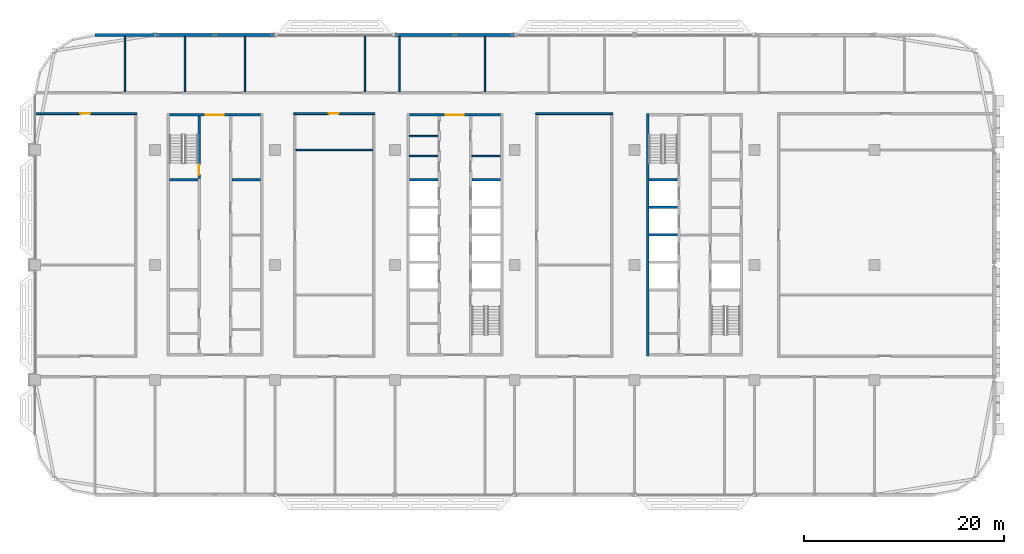
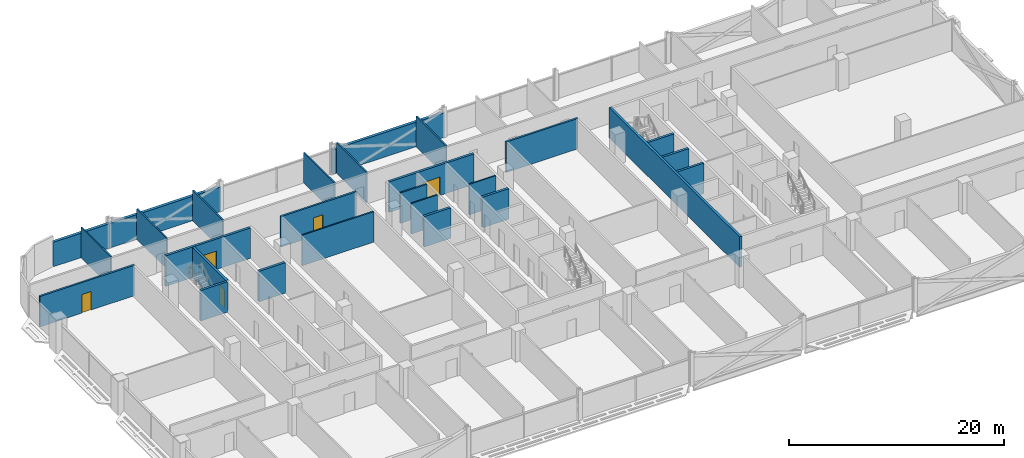
# One storey, part 15 of 30: 27 walls, 5 doors, 5 openings.
"""IFC4 building model written with IfcOpenShell, lengths in metres."""

from ifc_helpers import new_model, si_unit, direction, frame, frame_2d, origin, place, context, subcontext, project, spatial, rectangle, extrude, material, layer, layer_set, type_object, element, fill, save


model = new_model("IFC4")

# Units and contexts
model_context = context("Model", 3, precision=1e-05, world=origin(), true_north=direction((0.0, 1.0)))
body_context = subcontext(model_context, "Body", "Model", "MODEL_VIEW")
ifc_project = project(units=[si_unit("LENGTHUNIT", "METRE"), si_unit("AREAUNIT", "SQUARE_METRE"), si_unit("VOLUMEUNIT", "CUBIC_METRE"), si_unit("PLANEANGLEUNIT", "RADIAN"), si_unit("MASSUNIT", "GRAM", prefix="KILO")], contexts=[model_context])

# Site, building, storey
site_placement = place(None, origin())
site = spatial("IfcSite", under=ifc_project, at=site_placement, CompositionType="ELEMENT")
building_placement = place(site_placement, origin())
building = spatial("IfcBuilding", under=site, at=building_placement, Name="Mahtab Terrace Research Tower", CompositionType="ELEMENT")
storey_placement = place(building_placement, frame((0.0, 0.0, 201.5)))
storey = spatial("IfcBuildingStorey", under=building, at=storey_placement, Name="L48", CompositionType="ELEMENT", Elevation=201.5)

# Walls
ifc_material_1 = material(Name="Gypsum board partition")
ifc_layer_1 = layer(ifc_material_1, 0.14990234375)
ifc_layer_set_1 = layer_set([ifc_layer_1], Name="Core partition 150")
wall_type_1 = type_object("IfcWallType", Name="Core partition 150", PredefinedType="PARTITIONING", material=ifc_layer_set_1)
for number, where, z_axis, x_axis, name in (
    (1, (-4.550048828125, 10.875, 0.0), (0.0, 0.0, 1.0), (1.0, 0.0, 0.0), "Core wall B pWN788"),
    (2, (-4.550048828125, 12.875, 0.0), (0.0, 0.0, 1.0), (1.0, 0.0, 0.0), "Core wall B pWN988"),
    (3, (1.699951171875, 10.875, 0.0), (0.0, 0.0, 1.0), (1.0, 0.0, 0.0), "Core wall B pEN788"),
):
    element("IfcWall", number, at=place(storey_placement, frame(where, z_axis=z_axis, x_axis=x_axis)), inside=storey, type_object=wall_type_1, Name=name, PredefinedType="PARTITIONING", context=body_context, shape_type="SweptSolid", body=[
        extrude(rectangle(XDim=2.85009765625, YDim=0.14990234375, at=frame_2d((1.425048828125, 0.0))), origin(), (0.0, 0.0, 1.0), 3.4599609375),
    ])

# Wall, opening, door
ifc_material_2 = material(Name="Concrete C70/85", Category="concrete")
ifc_layer_2 = layer(ifc_material_2, 0.25)
ifc_layer_set_2 = layer_set([ifc_layer_2], Name="Core wall 250")
wall_type_2 = type_object("IfcWallType", Name="Core wall 250", PredefinedType="SOLIDWALL", material=ifc_layer_set_2)
wall_1_placement = place(storey_placement, frame((-28.550048828125, 15.0, 0.0), z_axis=(0.0, 0.0, 1.0), x_axis=(1.0, 0.0, 0.0)))
wall_1 = element("IfcWall", 4, at=wall_1_placement, inside=storey, type_object=wall_type_2, Name="Core wall A endN", PredefinedType="SOLIDWALL", context=body_context, shape_type="SweptSolid", body=[
    extrude(rectangle(XDim=9.10009765625, YDim=0.25, at=frame_2d((4.550048828125, 0.0))), origin(), (0.0, 0.0, 1.0), 3.4599609375),
])
opening_1_placement = place(wall_1_placement, frame((3.64990234375, 0.0, 0.0)))
opening_1 = element("IfcOpeningElement", 5, at=opening_1_placement, cuts=wall_1, Name="Opening A-N1", PredefinedType="OPENING", context=body_context, shape_type="SweptSolid", body=[
    extrude(rectangle(XDim=1.800048828125, YDim=2.10009765625, at=frame_2d((0.89990234375, 1.050048828125))), frame((0.0, 0.135009765625, 0.0), z_axis=(0.0, -1.0, 0.0), x_axis=(1.0, 0.0, 0.0)), (0.0, 0.0, 1.0), 0.27001953125),
])
ifc_material_3 = material(Name="Steel fire door", Category="steel")
door_type_1 = type_object("IfcDoorType", Name="Lobby double door 1800x2100 1 HR", OperationType="DOUBLE_DOOR_SINGLE_SWING", PredefinedType="DOOR", material=ifc_material_3)
door_1_placement = place(opening_1_placement, origin())
door_1 = element("IfcDoor", 6, at=door_1_placement, inside=storey, type_object=door_type_1, Name="Core entrance door A N", OperationType="DOUBLE_DOOR_SINGLE_SWING", OverallHeight=2.10009765625, OverallWidth=1.800048828125, PredefinedType="DOOR", context=body_context, shape_type="SweptSolid", body=[
    extrude(rectangle(XDim=1.800048828125, YDim=2.10009765625, at=frame_2d((0.89990234375, 1.050048828125))), frame((0.0, 0.02490234375, 0.0), z_axis=(0.0, -1.0, 0.0), x_axis=(1.0, 0.0, 0.0)), (0.0, 0.0, 1.0), 0.050048828125),
])
fill(opening_1, door_1)

wall_2_placement = place(storey_placement, frame((-25.574951171875, 14.875, 0.0), z_axis=(0.0, 0.0, 1.0), x_axis=(0.0, -1.0, 0.0)))
wall_2 = element("IfcWall", 7, at=wall_2_placement, inside=storey, type_object=wall_type_2, Name="Core wall A innerWN", PredefinedType="SOLIDWALL", context=body_context, shape_type="SweptSolid", body=[
    extrude(rectangle(XDim=6.25, YDim=0.25, at=frame_2d((3.125, 0.0))), origin(), (0.0, 0.0, 1.0), 3.4599609375),
])
opening_2_placement = place(wall_2_placement, frame((4.85009765625, 0.0, 0.0)))
opening_2 = element("IfcOpeningElement", 8, at=opening_2_placement, cuts=wall_2, Name="Opening A-ST1", PredefinedType="OPENING", context=body_context, shape_type="SweptSolid", body=[
    extrude(rectangle(XDim=1.0, YDim=2.10009765625, at=frame_2d((0.5, 1.050048828125))), frame((0.0, 0.135009765625, 0.0), z_axis=(0.0, -1.0, 0.0), x_axis=(1.0, 0.0, 0.0)), (0.0, 0.0, 1.0), 0.27001953125),
])
door_type_2 = type_object("IfcDoorType", Name="Stair door 1000x2100 1.5 HR", OperationType="NOTDEFINED", PredefinedType="DOOR", material=ifc_material_3)
door_2_placement = place(opening_2_placement, origin())
door_2 = element("IfcDoor", 9, at=door_2_placement, inside=storey, type_object=door_type_2, Name="Stair door ST1 L48", OperationType="SINGLE_SWING_LEFT", OverallHeight=2.10009765625, OverallWidth=1.0, PredefinedType="DOOR", context=body_context, shape_type="SweptSolid", body=[
    extrude(rectangle(XDim=1.0, YDim=2.10009765625, at=frame_2d((0.5, 1.050048828125))), frame((0.0, 0.02490234375, 0.0), z_axis=(0.0, -1.0, 0.0), x_axis=(1.0, 0.0, 0.0)), (0.0, 0.0, 1.0), 0.050048828125),
])
fill(opening_2, door_2)

# Walls
for number, where, z_axis, x_axis, name in (
    (10, (-28.550048828125, 8.5, 0.0), (0.0, 0.0, 1.0), (1.0, 0.0, 0.0), "Core wall A divW4"),
    (11, (-22.300048828125, 8.5, 0.0), (0.0, 0.0, 1.0), (1.0, 0.0, 0.0), "Core wall A divE4"),
):
    element("IfcWall", number, at=place(storey_placement, frame(where, z_axis=z_axis, x_axis=x_axis)), inside=storey, type_object=wall_type_2, Name=name, PredefinedType="SOLIDWALL", context=body_context, shape_type="SweptSolid", body=[
        extrude(rectangle(XDim=2.85009765625, YDim=0.25, at=frame_2d((1.425048828125, 0.0))), origin(), (0.0, 0.0, 1.0), 3.4599609375),
    ])

# Wall, opening, door
wall_3_placement = place(storey_placement, frame((-4.550048828125, 15.0, 0.0), z_axis=(0.0, 0.0, 1.0), x_axis=(1.0, 0.0, 0.0)))
wall_3 = element("IfcWall", 12, at=wall_3_placement, inside=storey, type_object=wall_type_2, Name="Core wall B endN", PredefinedType="SOLIDWALL", context=body_context, shape_type="SweptSolid", body=[
    extrude(rectangle(XDim=9.10009765625, YDim=0.25, at=frame_2d((4.550048828125, 0.0))), origin(), (0.0, 0.0, 1.0), 3.4599609375),
])
opening_3_placement = place(wall_3_placement, frame((3.64990234375, 0.0, 0.0)))
opening_3 = element("IfcOpeningElement", 13, at=opening_3_placement, cuts=wall_3, Name="Opening B-N1", PredefinedType="OPENING", context=body_context, shape_type="SweptSolid", body=[
    extrude(rectangle(XDim=1.800048828125, YDim=2.10009765625, at=frame_2d((0.89990234375, 1.050048828125))), frame((0.0, 0.135009765625, 0.0), z_axis=(0.0, -1.0, 0.0), x_axis=(1.0, 0.0, 0.0)), (0.0, 0.0, 1.0), 0.27001953125),
])
door_3_placement = place(opening_3_placement, origin())
door_3 = element("IfcDoor", 14, at=door_3_placement, inside=storey, type_object=door_type_1, Name="Core entrance door B N", OperationType="DOUBLE_DOOR_SINGLE_SWING", OverallHeight=2.10009765625, OverallWidth=1.800048828125, PredefinedType="DOOR", context=body_context, shape_type="SweptSolid", body=[
    extrude(rectangle(XDim=1.800048828125, YDim=2.10009765625, at=frame_2d((0.89990234375, 1.050048828125))), frame((0.0, 0.02490234375, 0.0), z_axis=(0.0, -1.0, 0.0), x_axis=(1.0, 0.0, 0.0)), (0.0, 0.0, 1.0), 0.050048828125),
])
fill(opening_3, door_3)

# Walls
for number, where, z_axis, x_axis, name in (
    (15, (-4.550048828125, 8.5, 0.0), (0.0, 0.0, 1.0), (1.0, 0.0, 0.0), "Core wall B divW4"),
    (16, (1.699951171875, 8.5, 0.0), (0.0, 0.0, 1.0), (1.0, 0.0, 0.0), "Core wall B divE4"),
):
    element("IfcWall", number, at=place(storey_placement, frame(where, z_axis=z_axis, x_axis=x_axis)), inside=storey, type_object=wall_type_2, Name=name, PredefinedType="SOLIDWALL", context=body_context, shape_type="SweptSolid", body=[
        extrude(rectangle(XDim=2.85009765625, YDim=0.25, at=frame_2d((1.425048828125, 0.0))), origin(), (0.0, 0.0, 1.0), 3.4599609375),
    ])
wall_4_placement = place(storey_placement, frame((19.324951171875, 15.125, 0.0), z_axis=(0.0, 0.0, 1.0), x_axis=(0.0, -1.0, 0.0)))
element("IfcWall", 17, at=wall_4_placement, inside=storey, type_object=wall_type_2, Name="Core wall C outerW", PredefinedType="SOLIDWALL", context=body_context, shape_type="SweptSolid", body=[
    extrude(rectangle(XDim=24.25, YDim=0.25, at=frame_2d((12.125, 0.0))), origin(), (0.0, 0.0, 1.0), 3.4599609375),
])
for number, where, z_axis, x_axis, name in (
    (18, (19.449951171875, 3.0, 0.0), (0.0, 0.0, 1.0), (1.0, 0.0, 0.0), "Core wall C divW2"),
    (19, (19.449951171875, 5.75, 0.0), (0.0, 0.0, 1.0), (1.0, 0.0, 0.0), "Core wall C divW3"),
    (20, (19.449951171875, 8.5, 0.0), (0.0, 0.0, 1.0), (1.0, 0.0, 0.0), "Core wall C divW4"),
):
    element("IfcWall", number, at=place(storey_placement, frame(where, z_axis=z_axis, x_axis=x_axis)), inside=storey, type_object=wall_type_2, Name=name, PredefinedType="SOLIDWALL", context=body_context, shape_type="SweptSolid", body=[
        extrude(rectangle(XDim=2.85009765625, YDim=0.25, at=frame_2d((1.425048828125, 0.0))), origin(), (0.0, 0.0, 1.0), 3.4599609375),
    ])
ifc_material_4 = material(Name="Black aluminium cladding panel", Category="aluminium")
ifc_layer_3 = layer(ifc_material_4, 0.300048828125)
ifc_layer_set_3 = layer_set([ifc_layer_3], Name="Opaque facade wall 300")
wall_type_3 = type_object("IfcWallType", Name="Opaque facade wall 300", PredefinedType="NOTDEFINED", material=ifc_layer_set_3)
for number, where, z_axis, x_axis, name in (
    (21, (5.987548828125, 23.0, 0.0), (0.0, 0.0, 1.0), (-1.0, 0.0, 0.0), "Opaque facade wall L48 N7"),
    (22, (-18.012451171875, 23.0, 0.0), (0.0, 0.0, 1.0), (-1.0, 0.0, 0.0), "Opaque facade wall L48 N9"),
):
    element("IfcWall", number, at=place(storey_placement, frame(where, z_axis=z_axis, x_axis=x_axis)), inside=storey, type_object=wall_type_3, Name=name, PredefinedType="NOTDEFINED", context=body_context, shape_type="SweptSolid", body=[
        extrude(rectangle(XDim=11.97509765625, YDim=0.300048828125, at=frame_2d((5.987548828125, 0.0))), origin(), (0.0, 0.0, 1.0), 2.78173828125),
    ])
wall_5_placement = place(storey_placement, frame((-30.012451171875, 23.0, 0.0), z_axis=(0.0, 0.0, 1.0), x_axis=(-1.0, 0.0, 0.0)))
element("IfcWall", 23, at=wall_5_placement, inside=storey, type_object=wall_type_3, Name="Opaque facade wall L48 N10", PredefinedType="NOTDEFINED", context=body_context, shape_type="SweptSolid", body=[
    extrude(rectangle(XDim=5.987548828125, YDim=0.300048828125, at=frame_2d((2.99365234375, 0.0))), origin(), (0.0, 0.0, 1.0), 2.78173828125),
])

# Wall, opening, door
ifc_material_5 = material(Name="Gypsum board corridor wall on steel studs", Category="steel")
ifc_layer_4 = layer(ifc_material_5, 0.199951171875)
ifc_layer_set_4 = layer_set([ifc_layer_4], Name="WALL CORRIDOR 200")
wall_type_4 = type_object("IfcWallType", Name="WALL CORRIDOR 200", PredefinedType="PARTITIONING", material=ifc_layer_set_4)
wall_6_placement = place(storey_placement, frame((-41.97509765625, 15.125, 0.0), z_axis=(0.0, 0.0, 1.0), x_axis=(1.0, 0.0, 0.0)))
wall_6 = element("IfcWall", 24, at=wall_6_placement, inside=storey, type_object=wall_type_4, Name="L48-W020", PredefinedType="PARTITIONING", context=body_context, shape_type="SweptSolid", body=[
    extrude(rectangle(XDim=10.175048828125, YDim=0.199951171875, at=frame_2d((5.08740234375, 0.0))), origin(), (0.0, 0.0, 1.0), 3.4599609375),
])
opening_4_placement = place(wall_6_placement, frame((4.5, 0.0, 0.0)))
opening_4 = element("IfcOpeningElement", 25, at=opening_4_placement, cuts=wall_6, Name="Opening L48-122", PredefinedType="OPENING", context=body_context, shape_type="SweptSolid", body=[
    extrude(rectangle(XDim=1.0, YDim=2.10009765625, at=frame_2d((0.5, 1.050048828125))), frame((0.0, 0.10986328125, 0.0), z_axis=(0.0, -1.0, 0.0), x_axis=(1.0, 0.0, 0.0)), (0.0, 0.0, 1.0), 0.219970703125),
])
ifc_material_6 = material(Name="Timber door leaf in steel frame", Category="steel")
door_type_3 = type_object("IfcDoorType", Name="DOOR 1000X2100 FD30S", OperationType="SINGLE_SWING_LEFT", PredefinedType="DOOR", material=ifc_material_6)
door_4_placement = place(opening_4_placement, origin())
door_4 = element("IfcDoor", 26, at=door_4_placement, inside=storey, type_object=door_type_3, Name="Door L48-122", OperationType="SINGLE_SWING_RIGHT", OverallHeight=2.10009765625, OverallWidth=1.0, PredefinedType="DOOR", context=body_context, shape_type="SweptSolid", body=[
    extrude(rectangle(XDim=1.0, YDim=2.10009765625, at=frame_2d((0.5, 1.050048828125))), frame((0.0, 0.02490234375, 0.0), z_axis=(0.0, -1.0, 0.0), x_axis=(1.0, 0.0, 0.0)), (0.0, 0.0, 1.0), 0.050048828125),
])
fill(opening_4, door_4)

wall_7_placement = place(storey_placement, frame((-16.10009765625, 15.125, 0.0), z_axis=(0.0, 0.0, 1.0), x_axis=(1.0, 0.0, 0.0)))
wall_7 = element("IfcWall", 27, at=wall_7_placement, inside=storey, type_object=wall_type_4, Name="L48-W021", PredefinedType="PARTITIONING", context=body_context, shape_type="SweptSolid", body=[
    extrude(rectangle(XDim=8.10009765625, YDim=0.199951171875, at=frame_2d((4.050048828125, 0.0))), origin(), (0.0, 0.0, 1.0), 3.4599609375),
])
opening_5_placement = place(wall_7_placement, frame((3.5, 0.0, 0.0)))
opening_5 = element("IfcOpeningElement", 28, at=opening_5_placement, cuts=wall_7, Name="Opening L48-124", PredefinedType="OPENING", context=body_context, shape_type="SweptSolid", body=[
    extrude(rectangle(XDim=1.0, YDim=2.10009765625, at=frame_2d((0.5, 1.050048828125))), frame((0.0, 0.10986328125, 0.0), z_axis=(0.0, -1.0, 0.0), x_axis=(1.0, 0.0, 0.0)), (0.0, 0.0, 1.0), 0.219970703125),
])
door_5_placement = place(opening_5_placement, origin())
door_5 = element("IfcDoor", 29, at=door_5_placement, inside=storey, type_object=door_type_3, Name="Door L48-124", OperationType="SINGLE_SWING_RIGHT", OverallHeight=2.10009765625, OverallWidth=1.0, PredefinedType="DOOR", context=body_context, shape_type="SweptSolid", body=[
    extrude(rectangle(XDim=1.0, YDim=2.10009765625, at=frame_2d((0.5, 1.050048828125))), frame((0.0, 0.02490234375, 0.0), z_axis=(0.0, -1.0, 0.0), x_axis=(1.0, 0.0, 0.0)), (0.0, 0.0, 1.0), 0.050048828125),
])
fill(opening_5, door_5)

# Walls
wall_8_placement = place(storey_placement, frame((8.10009765625, 15.125, 0.0), z_axis=(0.0, 0.0, 1.0), x_axis=(1.0, 0.0, 0.0)))
element("IfcWall", 30, at=wall_8_placement, inside=storey, type_object=wall_type_4, Name="L48-W022", PredefinedType="PARTITIONING", context=body_context, shape_type="SweptSolid", body=[
    extrude(rectangle(XDim=7.699951171875, YDim=0.199951171875, at=frame_2d((3.85009765625, 0.0))), origin(), (0.0, 0.0, 1.0), 3.4599609375),
])
ifc_material_7 = material(Name="Gypsum board partition on steel studs", Category="steel")
ifc_layer_5 = layer(ifc_material_7, 0.14990234375)
ifc_layer_set_5 = layer_set([ifc_layer_5], Name="WALL PARTITION 150")
wall_type_5 = type_object("IfcWallType", Name="WALL PARTITION 150", PredefinedType="PARTITIONING", material=ifc_layer_set_5)
wall_9_placement = place(storey_placement, frame((-15.89990234375, 11.5, 0.0), z_axis=(0.0, 0.0, 1.0), x_axis=(1.0, 0.0, 0.0)))
element("IfcWall", 31, at=wall_9_placement, inside=storey, type_object=wall_type_5, Name="L48-W017", PredefinedType="PARTITIONING", context=body_context, shape_type="SweptSolid", body=[
    extrude(rectangle(XDim=7.699951171875, YDim=0.14990234375, at=frame_2d((3.85009765625, 0.0))), origin(), (0.0, 0.0, 1.0), 3.4599609375),
])
for number, where, z_axis, x_axis, name in (
    (32, (-33.0, 17.300048828125, 0.0), (0.0, 0.0, 1.0), (0.0, 1.0, 0.0), "L48-W026"),
    (33, (-27.0, 17.300048828125, 0.0), (0.0, 0.0, 1.0), (0.0, 1.0, 0.0), "L48-W029"),
    (34, (-21.0, 17.300048828125, 0.0), (0.0, 0.0, 1.0), (0.0, 1.0, 0.0), "L48-W031"),
):
    element("IfcWall", number, at=place(storey_placement, frame(where, z_axis=z_axis, x_axis=x_axis)), inside=storey, type_object=wall_type_5, Name=name, PredefinedType="PARTITIONING", context=body_context, shape_type="SweptSolid", body=[
        extrude(rectangle(XDim=5.550048828125, YDim=0.14990234375, at=frame_2d((2.77490234375, 0.0))), origin(), (0.0, 0.0, 1.0), 3.4599609375),
    ])
wall_10_placement = place(storey_placement, frame((-9.0, 17.300048828125, 0.0), z_axis=(0.0, 0.0, 1.0), x_axis=(0.0, 1.0, 0.0)))
element("IfcWall", 35, at=wall_10_placement, inside=storey, type_object=wall_type_5, Name="L48-W035", PredefinedType="PARTITIONING", context=body_context, shape_type="SweptSolid", body=[
    extrude(rectangle(XDim=5.675048828125, YDim=0.14990234375, at=frame_2d((2.83740234375, 0.0))), origin(), (0.0, 0.0, 1.0), 3.4599609375),
])
for number, where, z_axis, x_axis, name in (
    (36, (-5.550048828125, 17.300048828125, 0.0), (0.0, 0.0, 1.0), (0.0, 1.0, 0.0), "L48-W038"),
    (37, (3.0, 17.300048828125, 0.0), (0.0, 0.0, 1.0), (0.0, 1.0, 0.0), "L48-W040"),
):
    element("IfcWall", number, at=place(storey_placement, frame(where, z_axis=z_axis, x_axis=x_axis)), inside=storey, type_object=wall_type_5, Name=name, PredefinedType="PARTITIONING", context=body_context, shape_type="SweptSolid", body=[
        extrude(rectangle(XDim=5.550048828125, YDim=0.14990234375, at=frame_2d((2.77490234375, 0.0))), origin(), (0.0, 0.0, 1.0), 3.4599609375),
    ])

save(model, "model.ifc")
